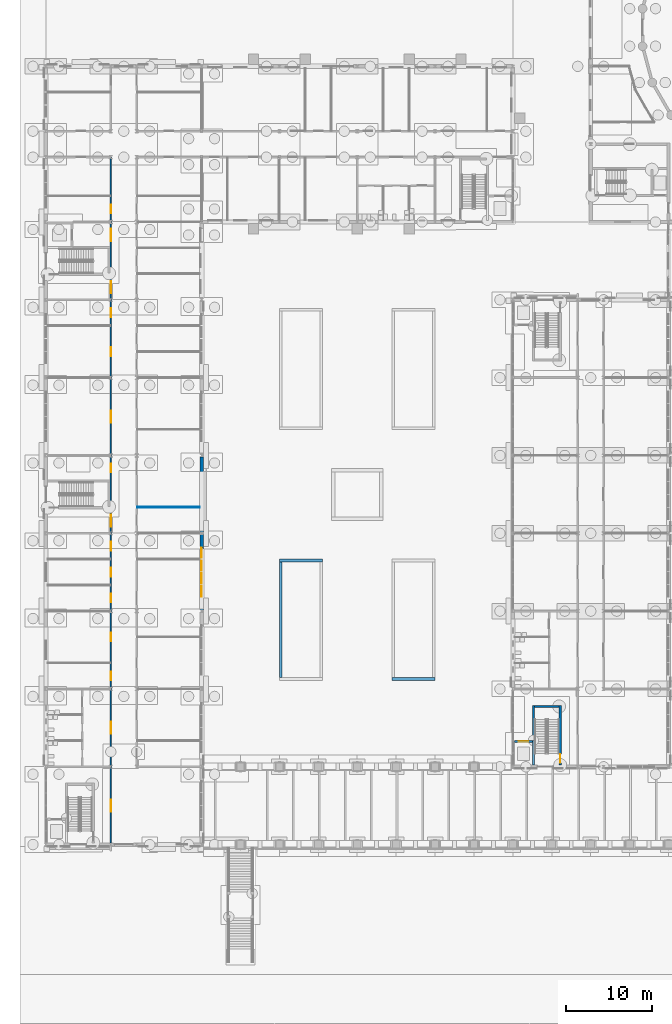
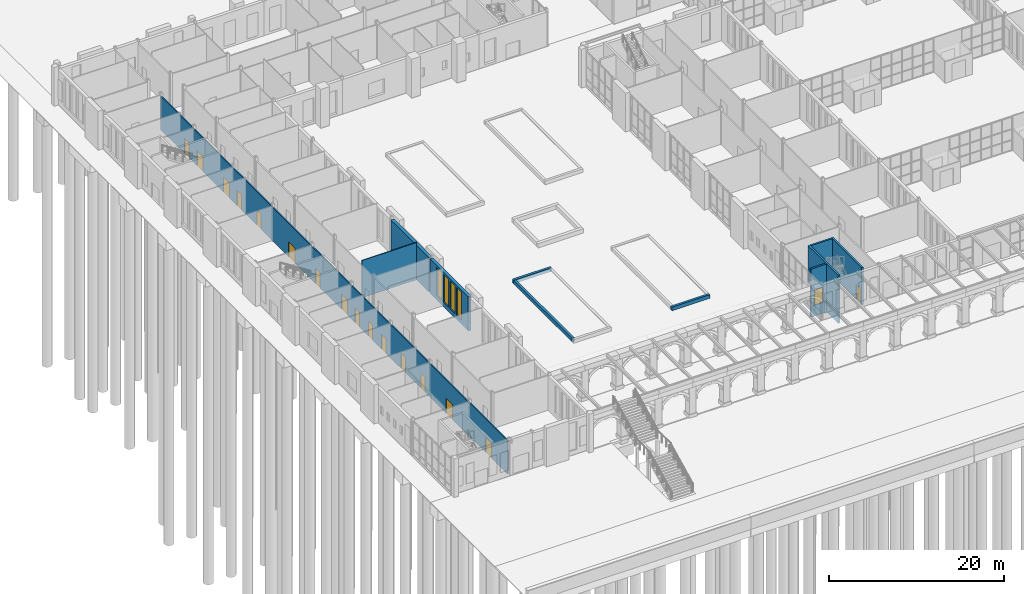
# One storey, part 85 of 168: 17 doors, 13 walls, 4 windows, 21 openings.
"""IFC4 building model written with IfcOpenShell, lengths in metres."""

from ifc_helpers import new_model, si_unit, direction, frame, frame_2d, origin, place, context, subcontext, project, spatial, rectangle, extrude, material, layer, layer_set, type_object, element, fill, save


model = new_model("IFC4")

# Units and contexts
model_context = context("Model", 3, precision=1e-05, world=origin(), true_north=direction((0.0, 1.0)))
body_context = subcontext(model_context, "Body", "Model", "MODEL_VIEW")
ifc_project = project(units=[si_unit("LENGTHUNIT", "METRE"), si_unit("AREAUNIT", "SQUARE_METRE"), si_unit("VOLUMEUNIT", "CUBIC_METRE"), si_unit("PLANEANGLEUNIT", "RADIAN"), si_unit("MASSUNIT", "GRAM", prefix="KILO")], contexts=[model_context])

# Site, building, storey
site_placement = place(None, origin())
site = spatial("IfcSite", under=ifc_project, at=site_placement, CompositionType="ELEMENT")
building_placement = place(site_placement, origin())
building = spatial("IfcBuilding", under=site, at=building_placement, Name="Golden Quay Civic Hall", CompositionType="ELEMENT")
storey_placement = place(building_placement, origin())
storey = spatial("IfcBuildingStorey", under=building, at=storey_placement, Name="L00", CompositionType="ELEMENT", Elevation=0.0)

# Walls
ifc_material_1 = material(Name="Brick, dark clay facing", Category="masonry")
ifc_layer_1 = layer(ifc_material_1, 0.300048828125)
ifc_layer_set_1 = layer_set([ifc_layer_1], Name="Brick planter wall 300")
wall_type_1 = type_object("IfcWallType", Name="Brick planter wall 300", PredefinedType="STANDARD", material=ifc_layer_set_1)
wall_1_placement = place(storey_placement, frame((27.0, 23.85009765625, 0.0), z_axis=(0.0, 0.0, 1.0), x_axis=(1.0, 0.0, 0.0)))
element("IfcWall", 1, at=wall_1_placement, inside=storey, type_object=wall_type_1, Name="Court planter West Court 1", PredefinedType="STANDARD", context=body_context, shape_type="SweptSolid", body=[
    extrude(rectangle(XDim=5.0, YDim=0.300048828125, at=frame_2d((2.5, 0.0))), origin(), (0.0, 0.0, 1.0), 0.5),
])
wall_2_placement = place(storey_placement, frame((27.14990234375, 10.300048828125, 0.0), z_axis=(0.0, 0.0, 1.0), x_axis=(0.0, 1.0, 0.0)))
element("IfcWall", 2, at=wall_2_placement, inside=storey, type_object=wall_type_1, Name="Court planter West Court 1", PredefinedType="STANDARD", context=body_context, shape_type="SweptSolid", body=[
    extrude(rectangle(XDim=13.39990234375, YDim=0.300048828125, at=frame_2d((6.699951171875, 0.0))), origin(), (0.0, 0.0, 1.0), 0.5),
])
wall_3_placement = place(storey_placement, frame((40.0, 10.14990234375, 0.0), z_axis=(0.0, 0.0, 1.0), x_axis=(1.0, 0.0, 0.0)))
element("IfcWall", 3, at=wall_3_placement, inside=storey, type_object=wall_type_1, Name="Court planter West Court 3", PredefinedType="STANDARD", context=body_context, shape_type="SweptSolid", body=[
    extrude(rectangle(XDim=5.0, YDim=0.300048828125, at=frame_2d((2.5, 0.0))), origin(), (0.0, 0.0, 1.0), 0.5),
])
ifc_material_2 = material(Name="Concrete C40/50", Category="concrete")
ifc_layer_2 = layer(ifc_material_2, 0.25)
ifc_layer_set_2 = layer_set([ifc_layer_2], Name="Concrete core wall 250, Concrete C40/50")
wall_type_2 = type_object("IfcWallType", Name="Concrete core wall 250", PredefinedType="SHEAR", material=ifc_layer_set_2)
wall_4_placement = place(storey_placement, frame((56.375, 0.199951171875, 0.0), z_axis=(0.0, 0.0, 1.0), x_axis=(0.0, 1.0, 0.0)))
element("IfcWall", 4, at=wall_4_placement, inside=storey, type_object=wall_type_2, Name="Core wall WM-S-W1", PredefinedType="SHEAR", context=body_context, shape_type="SweptSolid", body=[
    extrude(rectangle(XDim=6.900146484375, YDim=0.25, at=frame_2d((3.4501953125, 0.0))), origin(), (0.0, 0.0, 1.0), 5.199951171875),
])

# Wall, opening, door
wall_5_placement = place(storey_placement, frame((59.47509765625, 0.199951171875, 0.0), z_axis=(0.0, 0.0, 1.0), x_axis=(0.0, 1.0, 0.0)))
wall_5 = element("IfcWall", 5, at=wall_5_placement, inside=storey, type_object=wall_type_2, Name="Core wall WM-S-W2", PredefinedType="SHEAR", context=body_context, shape_type="SweptSolid", body=[
    extrude(rectangle(XDim=6.900146484375, YDim=0.25, at=frame_2d((3.4501953125, 0.0))), origin(), (0.0, 0.0, 1.0), 5.199951171875),
])
opening_1_placement = place(wall_5_placement, frame((0.25, 0.0, 0.0)))
opening_1 = element("IfcOpeningElement", 6, at=opening_1_placement, cuts=wall_5, Name="Opening L00-D121", PredefinedType="OPENING", context=body_context, shape_type="SweptSolid", body=[
    extrude(rectangle(XDim=1.0, YDim=2.10009765625, at=frame_2d((0.5, 1.050048828125))), frame((0.0, 0.135009765625, 0.0), z_axis=(0.0, -1.0, 0.0), x_axis=(1.0, 0.0, 0.0)), (0.0, 0.0, 1.0), 0.27001953125),
])
ifc_material_3 = material(Name="Steel", Category="steel")
door_type_1 = type_object("IfcDoorType", Name="Steel fire door FD60 1000 x 2100", OperationType="SINGLE_SWING_LEFT", PredefinedType="DOOR", material=ifc_material_3)
door_1_placement = place(opening_1_placement, origin())
door_1 = element("IfcDoor", 7, at=door_1_placement, inside=storey, type_object=door_type_1, Name="Door L00-D121", OperationType="SINGLE_SWING_LEFT", OverallHeight=2.10009765625, OverallWidth=1.0, PredefinedType="DOOR", context=body_context, shape_type="SweptSolid", body=[
    extrude(rectangle(XDim=1.0, YDim=2.10009765625, at=frame_2d((0.5, 1.050048828125))), frame((0.0, 0.02490234375, 0.0), z_axis=(0.0, -1.0, 0.0), x_axis=(1.0, 0.0, 0.0)), (0.0, 0.0, 1.0), 0.050048828125),
])
fill(opening_1, door_1)

# Wall
wall_6_placement = place(storey_placement, frame((56.5, 6.97509765625, 0.0), z_axis=(0.0, 0.0, 1.0), x_axis=(1.0, 0.0, 0.0)))
element("IfcWall", 8, at=wall_6_placement, inside=storey, type_object=wall_type_2, Name="Core wall WM-S-W3", PredefinedType="SHEAR", context=body_context, shape_type="SweptSolid", body=[
    extrude(rectangle(XDim=2.85009765625, YDim=0.25, at=frame_2d((1.425048828125, 0.0))), origin(), (0.0, 0.0, 1.0), 5.199951171875),
])

# Wall, opening, door
wall_7_placement = place(storey_placement, frame((54.199951171875, 2.925048828125, 0.0), z_axis=(0.0, 0.0, 1.0), x_axis=(1.0, 0.0, 0.0)))
wall_7 = element("IfcWall", 9, at=wall_7_placement, inside=storey, type_object=wall_type_2, Name="Core wall WM-S-W4", PredefinedType="SHEAR", context=body_context, shape_type="SweptSolid", body=[
    extrude(rectangle(XDim=2.050048828125, YDim=0.25, at=frame_2d((1.02490234375, 0.0))), origin(), (0.0, 0.0, 1.0), 5.199951171875),
])
opening_2_placement = place(wall_7_placement, frame((0.47509765625, 0.0, 0.0)))
opening_2 = element("IfcOpeningElement", 10, at=opening_2_placement, cuts=wall_7, Name="Opening L00-D125", PredefinedType="OPENING", context=body_context, shape_type="SweptSolid", body=[
    extrude(rectangle(XDim=1.10009765625, YDim=2.10009765625, at=frame_2d((0.550048828125, 1.050048828125))), frame((0.0, 0.135009765625, 0.0), z_axis=(0.0, -1.0, 0.0), x_axis=(1.0, 0.0, 0.0)), (0.0, 0.0, 1.0), 0.27001953125),
])
ifc_material_4 = material(Name="Steel", Category="steel")
door_type_2 = type_object("IfcDoorType", Name="Lift landing door 1100 x 2100", OperationType="SLIDING_TO_LEFT", PredefinedType="DOOR", material=ifc_material_4)
door_2_placement = place(opening_2_placement, origin())
door_2 = element("IfcDoor", 11, at=door_2_placement, inside=storey, type_object=door_type_2, Name="Lift landing door L00-D125 WM-S", OperationType="SLIDING_TO_LEFT", OverallHeight=2.10009765625, OverallWidth=1.10009765625, PredefinedType="DOOR", context=body_context, shape_type="SweptSolid", body=[
    extrude(rectangle(XDim=1.10009765625, YDim=2.10009765625, at=frame_2d((0.550048828125, 1.050048828125))), frame((0.0, 0.02490234375, 0.0), z_axis=(0.0, -1.0, 0.0), x_axis=(1.0, 0.0, 0.0)), (0.0, 0.0, 1.0), 0.050048828125),
])
fill(opening_2, door_2)

# Walls
wall_8_placement = place(storey_placement, frame((56.375, 0.199951171875, -1.5), z_axis=(0.0, 0.0, 1.0), x_axis=(0.0, 1.0, 0.0)))
element("IfcWall", 12, at=wall_8_placement, inside=storey, type_object=wall_type_2, Name="Lift pit wall P1", PredefinedType="SHEAR", context=body_context, shape_type="SweptSolid", body=[
    extrude(rectangle(XDim=2.85009765625, YDim=0.25, at=frame_2d((1.425048828125, 0.0))), origin(), (0.0, 0.0, 1.0), 1.5),
])
wall_9_placement = place(storey_placement, frame((54.199951171875, 2.925048828125, -1.5), z_axis=(0.0, 0.0, 1.0), x_axis=(1.0, 0.0, 0.0)))
element("IfcWall", 13, at=wall_9_placement, inside=storey, type_object=wall_type_2, Name="Lift pit wall P2", PredefinedType="SHEAR", context=body_context, shape_type="SweptSolid", body=[
    extrude(rectangle(XDim=2.050048828125, YDim=0.25, at=frame_2d((1.02490234375, 0.0))), origin(), (0.0, 0.0, 1.0), 1.5),
])
ifc_material_5 = material(Name="Plasterboard on steel studs", Category="steel")
ifc_layer_3 = layer(ifc_material_5, 0.10009765625)
ifc_layer_set_3 = layer_set([ifc_layer_3], Name="Partition 100 stud")
wall_type_3 = type_object("IfcWallType", Name="Partition 100 stud", PredefinedType="PARTITIONING", material=ifc_layer_set_3)
wall_10_placement = place(storey_placement, frame((10.574951171875, 30.0, 0.0), z_axis=(0.0, 0.0, 1.0), x_axis=(1.0, 0.0, 0.0)))
element("IfcWall", 14, at=wall_10_placement, inside=storey, type_object=wall_type_3, Name="Partition L00-016", PredefinedType="PARTITIONING", context=body_context, shape_type="SweptSolid", body=[
    extrude(rectangle(XDim=7.22509765625, YDim=0.10009765625, at=frame_2d((3.612548828125, 0.0))), origin(), (0.0, 0.0, 1.0), 5.199951171875),
])

# Wall, openings, doors
ifc_material_6 = material(Name="Plasterboard on steel studs", Category="steel")
ifc_layer_4 = layer(ifc_material_6, 0.14990234375)
ifc_layer_set_4 = layer_set([ifc_layer_4], Name="Partition 150 stud fire EI 60")
wall_type_4 = type_object("IfcWallType", Name="Partition 150 stud fire EI 60", PredefinedType="PARTITIONING", material=ifc_layer_set_4)
wall_11_placement = place(storey_placement, frame((7.5, -8.800048828125, 0.0), z_axis=(0.0, 0.0, 1.0), x_axis=(0.0, 1.0, 0.0)))
wall_11 = element("IfcWall", 15, at=wall_11_placement, inside=storey, type_object=wall_type_4, Name="Partition L00-025", PredefinedType="PARTITIONING", context=body_context, shape_type="SweptSolid", body=[
    extrude(rectangle(XDim=79.300048828125, YDim=0.14990234375, at=frame_2d((39.64990234375, 0.0))), origin(), (0.0, 0.0, 1.0), 4.679931640625),
])
opening_3_placement = place(wall_11_placement, frame((18.800048828125, 0.0, 0.0)))
opening_3 = element("IfcOpeningElement", 16, at=opening_3_placement, cuts=wall_11, Name="Opening L00-D048", PredefinedType="OPENING", context=body_context, shape_type="SweptSolid", body=[
    extrude(rectangle(XDim=1.0, YDim=2.10009765625, at=frame_2d((0.5, 1.050048828125))), frame((0.0, 0.0849609375, 0.0), z_axis=(0.0, -1.0, 0.0), x_axis=(1.0, 0.0, 0.0)), (0.0, 0.0, 1.0), 0.169921875),
])
opening_4_placement = place(wall_11_placement, frame((23.300048828125, 0.0, 0.0)))
opening_4 = element("IfcOpeningElement", 17, at=opening_4_placement, cuts=wall_11, Name="Opening L00-D049", PredefinedType="OPENING", context=body_context, shape_type="SweptSolid", body=[
    extrude(rectangle(XDim=1.0, YDim=2.10009765625, at=frame_2d((0.5, 1.050048828125))), frame((0.0, 0.0849609375, 0.0), z_axis=(0.0, -1.0, 0.0), x_axis=(1.0, 0.0, 0.0)), (0.0, 0.0, 1.0), 0.169921875),
])
opening_5_placement = place(wall_11_placement, frame((27.800048828125, 0.0, 0.0)))
opening_5 = element("IfcOpeningElement", 18, at=opening_5_placement, cuts=wall_11, Name="Opening L00-D050", PredefinedType="OPENING", context=body_context, shape_type="SweptSolid", body=[
    extrude(rectangle(XDim=1.0, YDim=2.10009765625, at=frame_2d((0.5, 1.050048828125))), frame((0.0, 0.0849609375, 0.0), z_axis=(0.0, -1.0, 0.0), x_axis=(1.0, 0.0, 0.0)), (0.0, 0.0, 1.0), 0.169921875),
])
opening_6_placement = place(wall_11_placement, frame((30.800048828125, 0.0, 0.0)))
opening_6 = element("IfcOpeningElement", 19, at=opening_6_placement, cuts=wall_11, Name="Opening L00-D051", PredefinedType="OPENING", context=body_context, shape_type="SweptSolid", body=[
    extrude(rectangle(XDim=1.0, YDim=2.10009765625, at=frame_2d((0.5, 1.050048828125))), frame((0.0, 0.0849609375, 0.0), z_axis=(0.0, -1.0, 0.0), x_axis=(1.0, 0.0, 0.0)), (0.0, 0.0, 1.0), 0.169921875),
])
opening_7_placement = place(wall_11_placement, frame((33.800048828125, 0.0, 0.0)))
opening_7 = element("IfcOpeningElement", 20, at=opening_7_placement, cuts=wall_11, Name="Opening L00-D052", PredefinedType="OPENING", context=body_context, shape_type="SweptSolid", body=[
    extrude(rectangle(XDim=1.0, YDim=2.10009765625, at=frame_2d((0.5, 1.050048828125))), frame((0.0, 0.0849609375, 0.0), z_axis=(0.0, -1.0, 0.0), x_axis=(1.0, 0.0, 0.0)), (0.0, 0.0, 1.0), 0.169921875),
])
opening_8_placement = place(wall_11_placement, frame((48.60009765625, 0.0, 0.0)))
opening_8 = element("IfcOpeningElement", 21, at=opening_8_placement, cuts=wall_11, Name="Opening L00-D053", PredefinedType="OPENING", context=body_context, shape_type="SweptSolid", body=[
    extrude(rectangle(XDim=1.39990234375, YDim=2.10009765625, at=frame_2d((0.699951171875, 1.050048828125))), frame((0.0, 0.0849609375, 0.0), z_axis=(0.0, -1.0, 0.0), x_axis=(1.0, 0.0, 0.0)), (0.0, 0.0, 1.0), 0.169921875),
])
opening_9_placement = place(wall_11_placement, frame((56.300048828125, 0.0, 0.0)))
opening_9 = element("IfcOpeningElement", 22, at=opening_9_placement, cuts=wall_11, Name="Opening L00-D054", PredefinedType="OPENING", context=body_context, shape_type="SweptSolid", body=[
    extrude(rectangle(XDim=1.0, YDim=2.10009765625, at=frame_2d((0.5, 1.050048828125))), frame((0.0, 0.0849609375, 0.0), z_axis=(0.0, -1.0, 0.0), x_axis=(1.0, 0.0, 0.0)), (0.0, 0.0, 1.0), 0.169921875),
])
opening_10_placement = place(wall_11_placement, frame((60.800048828125, 0.0, 0.0)))
opening_10 = element("IfcOpeningElement", 23, at=opening_10_placement, cuts=wall_11, Name="Opening L00-D055", PredefinedType="OPENING", context=body_context, shape_type="SweptSolid", body=[
    extrude(rectangle(XDim=1.0, YDim=2.10009765625, at=frame_2d((0.5, 1.050048828125))), frame((0.0, 0.0849609375, 0.0), z_axis=(0.0, -1.0, 0.0), x_axis=(1.0, 0.0, 0.0)), (0.0, 0.0, 1.0), 0.169921875),
])
opening_11_placement = place(wall_11_placement, frame((12.60009765625, 0.0, 0.0)))
opening_11 = element("IfcOpeningElement", 24, at=opening_11_placement, cuts=wall_11, Name="Opening L00-D069", PredefinedType="OPENING", context=body_context, shape_type="SweptSolid", body=[
    extrude(rectangle(XDim=1.39990234375, YDim=2.10009765625, at=frame_2d((0.699951171875, 1.050048828125))), frame((0.0, 0.0849609375, 0.0), z_axis=(0.0, -1.0, 0.0), x_axis=(1.0, 0.0, 0.0)), (0.0, 0.0, 1.0), 0.169921875),
])
opening_12_placement = place(wall_11_placement, frame((3.60009765625, 0.0, 0.0)))
opening_12 = element("IfcOpeningElement", 25, at=opening_12_placement, cuts=wall_11, Name="Opening L00-D074", PredefinedType="OPENING", context=body_context, shape_type="SweptSolid", body=[
    extrude(rectangle(XDim=1.39990234375, YDim=2.10009765625, at=frame_2d((0.699951171875, 1.050048828125))), frame((0.0, 0.0849609375, 0.0), z_axis=(0.0, -1.0, 0.0), x_axis=(1.0, 0.0, 0.0)), (0.0, 0.0, 1.0), 0.169921875),
])
opening_13_placement = place(wall_11_placement, frame((63.550048828125, 0.0, 0.0)))
opening_13 = element("IfcOpeningElement", 26, at=opening_13_placement, cuts=wall_11, Name="Opening L00-D076", PredefinedType="OPENING", context=body_context, shape_type="SweptSolid", body=[
    extrude(rectangle(XDim=1.39990234375, YDim=2.10009765625, at=frame_2d((0.699951171875, 1.050048828125))), frame((0.0, 0.0849609375, 0.0), z_axis=(0.0, -1.0, 0.0), x_axis=(1.0, 0.0, 0.0)), (0.0, 0.0, 1.0), 0.169921875),
])
opening_14_placement = place(wall_11_placement, frame((69.60009765625, 0.0, 0.0)))
opening_14 = element("IfcOpeningElement", 27, at=opening_14_placement, cuts=wall_11, Name="Opening L00-D077", PredefinedType="OPENING", context=body_context, shape_type="SweptSolid", body=[
    extrude(rectangle(XDim=1.39990234375, YDim=2.10009765625, at=frame_2d((0.699951171875, 1.050048828125))), frame((0.0, 0.0849609375, 0.0), z_axis=(0.0, -1.0, 0.0), x_axis=(1.0, 0.0, 0.0)), (0.0, 0.0, 1.0), 0.169921875),
])
opening_15_placement = place(wall_11_placement, frame((42.85009765625, 0.0, 0.0)))
opening_15 = element("IfcOpeningElement", 28, at=opening_15_placement, cuts=wall_11, Name="Opening L00-D078", PredefinedType="OPENING", context=body_context, shape_type="SweptSolid", body=[
    extrude(rectangle(XDim=1.0, YDim=2.10009765625, at=frame_2d((0.5, 1.050048828125))), frame((0.0, 0.0849609375, 0.0), z_axis=(0.0, -1.0, 0.0), x_axis=(1.0, 0.0, 0.0)), (0.0, 0.0, 1.0), 0.169921875),
])
opening_16_placement = place(wall_11_placement, frame((36.550048828125, 0.0, 0.0)))
opening_16 = element("IfcOpeningElement", 29, at=opening_16_placement, cuts=wall_11, Name="Opening L00-D080", PredefinedType="OPENING", context=body_context, shape_type="SweptSolid", body=[
    extrude(rectangle(XDim=1.39990234375, YDim=2.10009765625, at=frame_2d((0.699951171875, 1.050048828125))), frame((0.0, 0.0849609375, 0.0), z_axis=(0.0, -1.0, 0.0), x_axis=(1.0, 0.0, 0.0)), (0.0, 0.0, 1.0), 0.169921875),
])
opening_17_placement = place(wall_11_placement, frame((72.800048828125, 0.0, 0.0)))
opening_17 = element("IfcOpeningElement", 30, at=opening_17_placement, cuts=wall_11, Name="Opening L00-D081", PredefinedType="OPENING", context=body_context, shape_type="SweptSolid", body=[
    extrude(rectangle(XDim=1.0, YDim=2.10009765625, at=frame_2d((0.5, 1.050048828125))), frame((0.0, 0.0849609375, 0.0), z_axis=(0.0, -1.0, 0.0), x_axis=(1.0, 0.0, 0.0)), (0.0, 0.0, 1.0), 0.169921875),
])
ifc_material_7 = material(Name="Steel", Category="steel")
door_type_3 = type_object("IfcDoorType", Name="Steel double fire door FD30S 1400 x 2100", OperationType="DOUBLE_DOOR_SINGLE_SWING", PredefinedType="DOOR", material=ifc_material_7)
door_3_placement = place(opening_8_placement, origin())
door_3 = element("IfcDoor", 31, at=door_3_placement, inside=storey, type_object=door_type_3, Name="Door L00-D053", OperationType="DOUBLE_DOOR_SINGLE_SWING", OverallHeight=2.10009765625, OverallWidth=1.39990234375, PredefinedType="DOOR", context=body_context, shape_type="SweptSolid", body=[
    extrude(rectangle(XDim=1.39990234375, YDim=2.10009765625, at=frame_2d((0.699951171875, 1.050048828125))), frame((0.0, 0.02490234375, 0.0), z_axis=(0.0, -1.0, 0.0), x_axis=(1.0, 0.0, 0.0)), (0.0, 0.0, 1.0), 0.050048828125),
])
fill(opening_8, door_3)
door_4_placement = place(opening_11_placement, origin())
door_4 = element("IfcDoor", 32, at=door_4_placement, inside=storey, type_object=door_type_3, Name="Door L00-D069", OperationType="DOUBLE_DOOR_SINGLE_SWING", OverallHeight=2.10009765625, OverallWidth=1.39990234375, PredefinedType="DOOR", context=body_context, shape_type="SweptSolid", body=[
    extrude(rectangle(XDim=1.39990234375, YDim=2.10009765625, at=frame_2d((0.699951171875, 1.050048828125))), frame((0.0, 0.02490234375, 0.0), z_axis=(0.0, -1.0, 0.0), x_axis=(1.0, 0.0, 0.0)), (0.0, 0.0, 1.0), 0.050048828125),
])
fill(opening_11, door_4)
door_5_placement = place(opening_12_placement, frame((1.39990234375, 0.0, 0.0), z_axis=(0.0, 0.0, 1.0), x_axis=(-1.0, 0.0, 0.0)))
door_5 = element("IfcDoor", 33, at=door_5_placement, inside=storey, type_object=door_type_3, Name="Door L00-D074", OperationType="DOUBLE_DOOR_SINGLE_SWING", OverallHeight=2.10009765625, OverallWidth=1.39990234375, PredefinedType="DOOR", context=body_context, shape_type="SweptSolid", body=[
    extrude(rectangle(XDim=1.39990234375, YDim=2.10009765625, at=frame_2d((0.699951171875, 1.050048828125))), frame((0.0, 0.025146484375, 0.0), z_axis=(0.0, -1.0, 0.0), x_axis=(1.0, 0.0, 0.0)), (0.0, 0.0, 1.0), 0.050048828125),
])
fill(opening_12, door_5)
door_6_placement = place(opening_13_placement, frame((1.39990234375, 0.0, 0.0), z_axis=(0.0, 0.0, 1.0), x_axis=(-1.0, 0.0, 0.0)))
door_6 = element("IfcDoor", 34, at=door_6_placement, inside=storey, type_object=door_type_3, Name="Door L00-D076", OperationType="DOUBLE_DOOR_SINGLE_SWING", OverallHeight=2.10009765625, OverallWidth=1.39990234375, PredefinedType="DOOR", context=body_context, shape_type="SweptSolid", body=[
    extrude(rectangle(XDim=1.39990234375, YDim=2.10009765625, at=frame_2d((0.699951171875, 1.050048828125))), frame((0.0, 0.025146484375, 0.0), z_axis=(0.0, -1.0, 0.0), x_axis=(1.0, 0.0, 0.0)), (0.0, 0.0, 1.0), 0.050048828125),
])
fill(opening_13, door_6)
door_7_placement = place(opening_14_placement, frame((1.39990234375, 0.0, 0.0), z_axis=(0.0, 0.0, 1.0), x_axis=(-1.0, 0.0, 0.0)))
door_7 = element("IfcDoor", 35, at=door_7_placement, inside=storey, type_object=door_type_3, Name="Door L00-D077", OperationType="DOUBLE_DOOR_SINGLE_SWING", OverallHeight=2.10009765625, OverallWidth=1.39990234375, PredefinedType="DOOR", context=body_context, shape_type="SweptSolid", body=[
    extrude(rectangle(XDim=1.39990234375, YDim=2.10009765625, at=frame_2d((0.699951171875, 1.050048828125))), frame((0.0, 0.025146484375, 0.0), z_axis=(0.0, -1.0, 0.0), x_axis=(1.0, 0.0, 0.0)), (0.0, 0.0, 1.0), 0.050048828125),
])
fill(opening_14, door_7)
door_8_placement = place(opening_16_placement, frame((1.39990234375, 0.0, 0.0), z_axis=(0.0, 0.0, 1.0), x_axis=(-1.0, 0.0, 0.0)))
door_8 = element("IfcDoor", 36, at=door_8_placement, inside=storey, type_object=door_type_3, Name="Door L00-D080", OperationType="DOUBLE_DOOR_SINGLE_SWING", OverallHeight=2.10009765625, OverallWidth=1.39990234375, PredefinedType="DOOR", context=body_context, shape_type="SweptSolid", body=[
    extrude(rectangle(XDim=1.39990234375, YDim=2.10009765625, at=frame_2d((0.699951171875, 1.050048828125))), frame((0.0, 0.025146484375, 0.0), z_axis=(0.0, -1.0, 0.0), x_axis=(1.0, 0.0, 0.0)), (0.0, 0.0, 1.0), 0.050048828125),
])
fill(opening_16, door_8)
ifc_material_8 = material(Name="Steel", Category="steel")
door_type_4 = type_object("IfcDoorType", Name="Steel fire door FD30S 1000 x 2100", OperationType="SINGLE_SWING_LEFT", PredefinedType="DOOR", material=ifc_material_8)
door_9_placement = place(opening_3_placement, origin())
door_9 = element("IfcDoor", 37, at=door_9_placement, inside=storey, type_object=door_type_4, Name="Door L00-D048", OperationType="SINGLE_SWING_LEFT", OverallHeight=2.10009765625, OverallWidth=1.0, PredefinedType="DOOR", context=body_context, shape_type="SweptSolid", body=[
    extrude(rectangle(XDim=1.0, YDim=2.10009765625, at=frame_2d((0.5, 1.050048828125))), frame((0.0, 0.02490234375, 0.0), z_axis=(0.0, -1.0, 0.0), x_axis=(1.0, 0.0, 0.0)), (0.0, 0.0, 1.0), 0.050048828125),
])
fill(opening_3, door_9)
door_10_placement = place(opening_4_placement, origin())
door_10 = element("IfcDoor", 38, at=door_10_placement, inside=storey, type_object=door_type_4, Name="Door L00-D049", OperationType="SINGLE_SWING_LEFT", OverallHeight=2.10009765625, OverallWidth=1.0, PredefinedType="DOOR", context=body_context, shape_type="SweptSolid", body=[
    extrude(rectangle(XDim=1.0, YDim=2.10009765625, at=frame_2d((0.5, 1.050048828125))), frame((0.0, 0.02490234375, 0.0), z_axis=(0.0, -1.0, 0.0), x_axis=(1.0, 0.0, 0.0)), (0.0, 0.0, 1.0), 0.050048828125),
])
fill(opening_4, door_10)
door_11_placement = place(opening_5_placement, origin())
door_11 = element("IfcDoor", 39, at=door_11_placement, inside=storey, type_object=door_type_4, Name="Door L00-D050", OperationType="SINGLE_SWING_LEFT", OverallHeight=2.10009765625, OverallWidth=1.0, PredefinedType="DOOR", context=body_context, shape_type="SweptSolid", body=[
    extrude(rectangle(XDim=1.0, YDim=2.10009765625, at=frame_2d((0.5, 1.050048828125))), frame((0.0, 0.02490234375, 0.0), z_axis=(0.0, -1.0, 0.0), x_axis=(1.0, 0.0, 0.0)), (0.0, 0.0, 1.0), 0.050048828125),
])
fill(opening_5, door_11)
door_12_placement = place(opening_6_placement, origin())
door_12 = element("IfcDoor", 40, at=door_12_placement, inside=storey, type_object=door_type_4, Name="Door L00-D051", OperationType="SINGLE_SWING_LEFT", OverallHeight=2.10009765625, OverallWidth=1.0, PredefinedType="DOOR", context=body_context, shape_type="SweptSolid", body=[
    extrude(rectangle(XDim=1.0, YDim=2.10009765625, at=frame_2d((0.5, 1.050048828125))), frame((0.0, 0.02490234375, 0.0), z_axis=(0.0, -1.0, 0.0), x_axis=(1.0, 0.0, 0.0)), (0.0, 0.0, 1.0), 0.050048828125),
])
fill(opening_6, door_12)
door_13_placement = place(opening_7_placement, origin())
door_13 = element("IfcDoor", 41, at=door_13_placement, inside=storey, type_object=door_type_4, Name="Door L00-D052", OperationType="SINGLE_SWING_LEFT", OverallHeight=2.10009765625, OverallWidth=1.0, PredefinedType="DOOR", context=body_context, shape_type="SweptSolid", body=[
    extrude(rectangle(XDim=1.0, YDim=2.10009765625, at=frame_2d((0.5, 1.050048828125))), frame((0.0, 0.02490234375, 0.0), z_axis=(0.0, -1.0, 0.0), x_axis=(1.0, 0.0, 0.0)), (0.0, 0.0, 1.0), 0.050048828125),
])
fill(opening_7, door_13)
door_14_placement = place(opening_9_placement, origin())
door_14 = element("IfcDoor", 42, at=door_14_placement, inside=storey, type_object=door_type_4, Name="Door L00-D054", OperationType="SINGLE_SWING_LEFT", OverallHeight=2.10009765625, OverallWidth=1.0, PredefinedType="DOOR", context=body_context, shape_type="SweptSolid", body=[
    extrude(rectangle(XDim=1.0, YDim=2.10009765625, at=frame_2d((0.5, 1.050048828125))), frame((0.0, 0.02490234375, 0.0), z_axis=(0.0, -1.0, 0.0), x_axis=(1.0, 0.0, 0.0)), (0.0, 0.0, 1.0), 0.050048828125),
])
fill(opening_9, door_14)
door_15_placement = place(opening_10_placement, origin())
door_15 = element("IfcDoor", 43, at=door_15_placement, inside=storey, type_object=door_type_4, Name="Door L00-D055", OperationType="SINGLE_SWING_LEFT", OverallHeight=2.10009765625, OverallWidth=1.0, PredefinedType="DOOR", context=body_context, shape_type="SweptSolid", body=[
    extrude(rectangle(XDim=1.0, YDim=2.10009765625, at=frame_2d((0.5, 1.050048828125))), frame((0.0, 0.02490234375, 0.0), z_axis=(0.0, -1.0, 0.0), x_axis=(1.0, 0.0, 0.0)), (0.0, 0.0, 1.0), 0.050048828125),
])
fill(opening_10, door_15)
door_16_placement = place(opening_15_placement, origin())
door_16 = element("IfcDoor", 44, at=door_16_placement, inside=storey, type_object=door_type_4, Name="Door L00-D078", OperationType="SINGLE_SWING_LEFT", OverallHeight=2.10009765625, OverallWidth=1.0, PredefinedType="DOOR", context=body_context, shape_type="SweptSolid", body=[
    extrude(rectangle(XDim=1.0, YDim=2.10009765625, at=frame_2d((0.5, 1.050048828125))), frame((0.0, 0.02490234375, 0.0), z_axis=(0.0, -1.0, 0.0), x_axis=(1.0, 0.0, 0.0)), (0.0, 0.0, 1.0), 0.050048828125),
])
fill(opening_15, door_16)
door_17_placement = place(opening_17_placement, origin())
door_17 = element("IfcDoor", 45, at=door_17_placement, inside=storey, type_object=door_type_4, Name="Door L00-D081", OperationType="SINGLE_SWING_LEFT", OverallHeight=2.10009765625, OverallWidth=1.0, PredefinedType="DOOR", context=body_context, shape_type="SweptSolid", body=[
    extrude(rectangle(XDim=1.0, YDim=2.10009765625, at=frame_2d((0.5, 1.050048828125))), frame((0.0, 0.02490234375, 0.0), z_axis=(0.0, -1.0, 0.0), x_axis=(1.0, 0.0, 0.0)), (0.0, 0.0, 1.0), 0.050048828125),
])
fill(opening_17, door_17)

# Wall, openings, windows
ifc_material_9 = material(Name="Clay block, rendered, cream")
ifc_layer_5 = layer(ifc_material_9, 0.39990234375)
ifc_layer_set_5 = layer_set([ifc_layer_5], Name="Rendered block external wall 400")
wall_type_5 = type_object("IfcWallType", Name="Rendered block external wall 400", PredefinedType="STANDARD", material=ifc_layer_set_5)
wall_12_placement = place(storey_placement, frame((18.0, 26.85009765625, 0.0), z_axis=(0.0, 0.0, 1.0), x_axis=(0.0, -1.0, 0.0)))
wall_12 = element("IfcWall", 46, at=wall_12_placement, inside=storey, type_object=wall_type_5, Name="Rendered block external wall 400 L00 15", PredefinedType="STANDARD", context=body_context, shape_type="SweptSolid", body=[
    extrude(rectangle(XDim=8.7001953125, YDim=0.39990234375, at=frame_2d((4.35009765625, 0.0))), origin(), (0.0, 0.0, 1.0), 4.800048828125),
])
opening_18_placement = place(wall_12_placement, frame((6.0, 0.0, 0.60009765625)))
opening_18 = element("IfcOpeningElement", 47, at=opening_18_placement, cuts=wall_12, Name="Opening WN3", PredefinedType="OPENING", context=body_context, shape_type="SweptSolid", body=[
    extrude(rectangle(XDim=1.199951171875, YDim=3.89990234375, at=frame_2d((0.60009765625, 1.949951171875))), frame((0.0, 0.2099609375, 0.0), z_axis=(0.0, -1.0, 0.0), x_axis=(1.0, 0.0, 0.0)), (0.0, 0.0, 1.0), 0.419921875),
])
opening_19_placement = place(wall_12_placement, frame((4.5, 0.0, 0.60009765625)))
opening_19 = element("IfcOpeningElement", 48, at=opening_19_placement, cuts=wall_12, Name="Opening WN3", PredefinedType="OPENING", context=body_context, shape_type="SweptSolid", body=[
    extrude(rectangle(XDim=1.199951171875, YDim=3.89990234375, at=frame_2d((0.60009765625, 1.949951171875))), frame((0.0, 0.2099609375, 0.0), z_axis=(0.0, -1.0, 0.0), x_axis=(1.0, 0.0, 0.0)), (0.0, 0.0, 1.0), 0.419921875),
])
opening_20_placement = place(wall_12_placement, frame((3.0, 0.0, 0.60009765625)))
opening_20 = element("IfcOpeningElement", 49, at=opening_20_placement, cuts=wall_12, Name="Opening WN3", PredefinedType="OPENING", context=body_context, shape_type="SweptSolid", body=[
    extrude(rectangle(XDim=1.199951171875, YDim=3.89990234375, at=frame_2d((0.60009765625, 1.949951171875))), frame((0.0, 0.2099609375, 0.0), z_axis=(0.0, -1.0, 0.0), x_axis=(1.0, 0.0, 0.0)), (0.0, 0.0, 1.0), 0.419921875),
])
opening_21_placement = place(wall_12_placement, frame((1.5, 0.0, 0.60009765625)))
opening_21 = element("IfcOpeningElement", 50, at=opening_21_placement, cuts=wall_12, Name="Opening WN3", PredefinedType="OPENING", context=body_context, shape_type="SweptSolid", body=[
    extrude(rectangle(XDim=1.199951171875, YDim=3.89990234375, at=frame_2d((0.60009765625, 1.949951171875))), frame((0.0, 0.2099609375, 0.0), z_axis=(0.0, -1.0, 0.0), x_axis=(1.0, 0.0, 0.0)), (0.0, 0.0, 1.0), 0.419921875),
])
ifc_material_10 = material(Name="Aluminium frame, double glazed", Category="aluminium")
window_type = type_object("IfcWindowType", Name="Golden grid window 1200 x 3900", PartitioningType="SINGLE_PANEL", PredefinedType="WINDOW", material=ifc_material_10)
window_1_placement = place(opening_18_placement, origin())
window_1 = element("IfcWindow", 51, at=window_1_placement, inside=storey, type_object=window_type, Name="Golden grid window 1200 x 3900 L00 29", OverallHeight=3.89990234375, OverallWidth=1.199951171875, PartitioningType="SINGLE_PANEL", PredefinedType="WINDOW", context=body_context, shape_type="SweptSolid", body=[
    extrude(rectangle(XDim=1.199951171875, YDim=3.89990234375, at=frame_2d((0.60009765625, 1.949951171875))), frame((0.0, 0.030029296875, 0.0), z_axis=(0.0, -1.0, 0.0), x_axis=(1.0, 0.0, 0.0)), (0.0, 0.0, 1.0), 0.06005859375),
])
fill(opening_18, window_1)
window_2_placement = place(opening_19_placement, origin())
window_2 = element("IfcWindow", 52, at=window_2_placement, inside=storey, type_object=window_type, Name="Golden grid window 1200 x 3900 L00 30", OverallHeight=3.89990234375, OverallWidth=1.199951171875, PartitioningType="SINGLE_PANEL", PredefinedType="WINDOW", context=body_context, shape_type="SweptSolid", body=[
    extrude(rectangle(XDim=1.199951171875, YDim=3.89990234375, at=frame_2d((0.60009765625, 1.949951171875))), frame((0.0, 0.030029296875, 0.0), z_axis=(0.0, -1.0, 0.0), x_axis=(1.0, 0.0, 0.0)), (0.0, 0.0, 1.0), 0.06005859375),
])
fill(opening_19, window_2)
window_3_placement = place(opening_20_placement, origin())
window_3 = element("IfcWindow", 53, at=window_3_placement, inside=storey, type_object=window_type, Name="Golden grid window 1200 x 3900 L00 31", OverallHeight=3.89990234375, OverallWidth=1.199951171875, PartitioningType="SINGLE_PANEL", PredefinedType="WINDOW", context=body_context, shape_type="SweptSolid", body=[
    extrude(rectangle(XDim=1.199951171875, YDim=3.89990234375, at=frame_2d((0.60009765625, 1.949951171875))), frame((0.0, 0.030029296875, 0.0), z_axis=(0.0, -1.0, 0.0), x_axis=(1.0, 0.0, 0.0)), (0.0, 0.0, 1.0), 0.06005859375),
])
fill(opening_20, window_3)
window_4_placement = place(opening_21_placement, origin())
window_4 = element("IfcWindow", 54, at=window_4_placement, inside=storey, type_object=window_type, Name="Golden grid window 1200 x 3900 L00 32", OverallHeight=3.89990234375, OverallWidth=1.199951171875, PartitioningType="SINGLE_PANEL", PredefinedType="WINDOW", context=body_context, shape_type="SweptSolid", body=[
    extrude(rectangle(XDim=1.199951171875, YDim=3.89990234375, at=frame_2d((0.60009765625, 1.949951171875))), frame((0.0, 0.030029296875, 0.0), z_axis=(0.0, -1.0, 0.0), x_axis=(1.0, 0.0, 0.0)), (0.0, 0.0, 1.0), 0.06005859375),
])
fill(opening_21, window_4)

# Wall
wall_13_placement = place(storey_placement, frame((18.0, 35.85009765625, 0.0), z_axis=(0.0, 0.0, 1.0), x_axis=(0.0, -1.0, 0.0)))
element("IfcWall", 55, at=wall_13_placement, inside=storey, type_object=wall_type_5, Name="Rendered block external wall 400 L00 16", PredefinedType="STANDARD", context=body_context, shape_type="SweptSolid", body=[
    extrude(rectangle(XDim=8.7001953125, YDim=0.39990234375, at=frame_2d((4.35009765625, 0.0))), origin(), (0.0, 0.0, 1.0), 4.800048828125),
])

save(model, "model.ifc")
